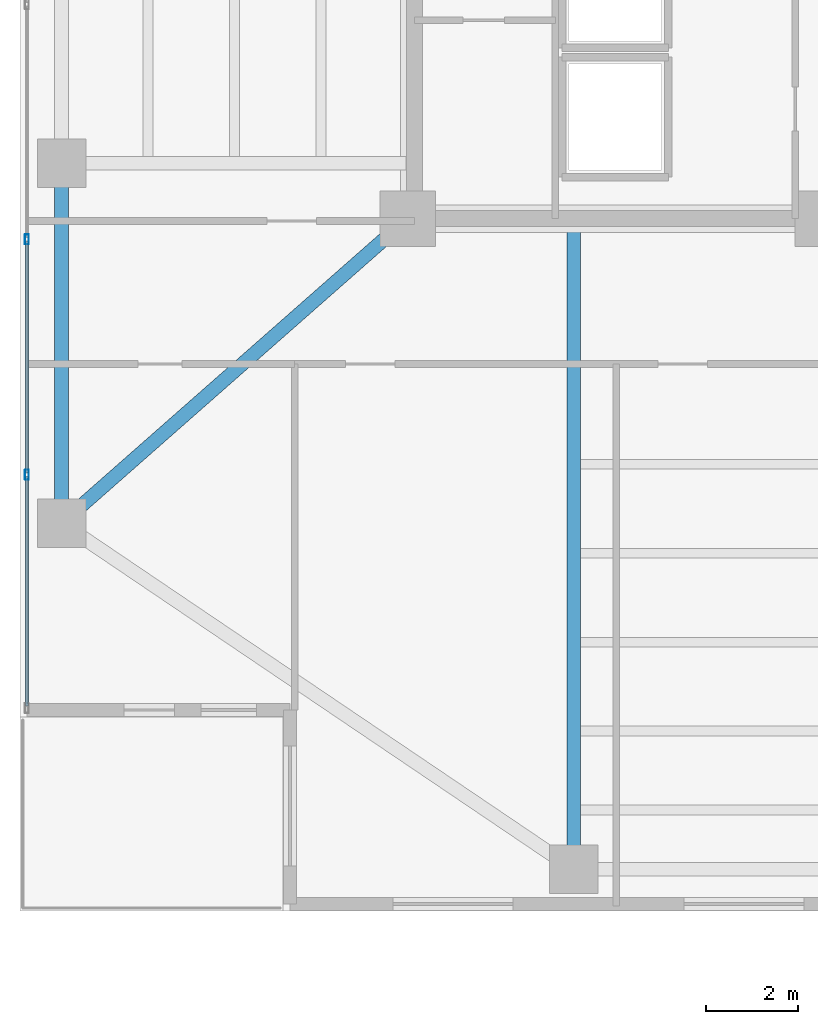
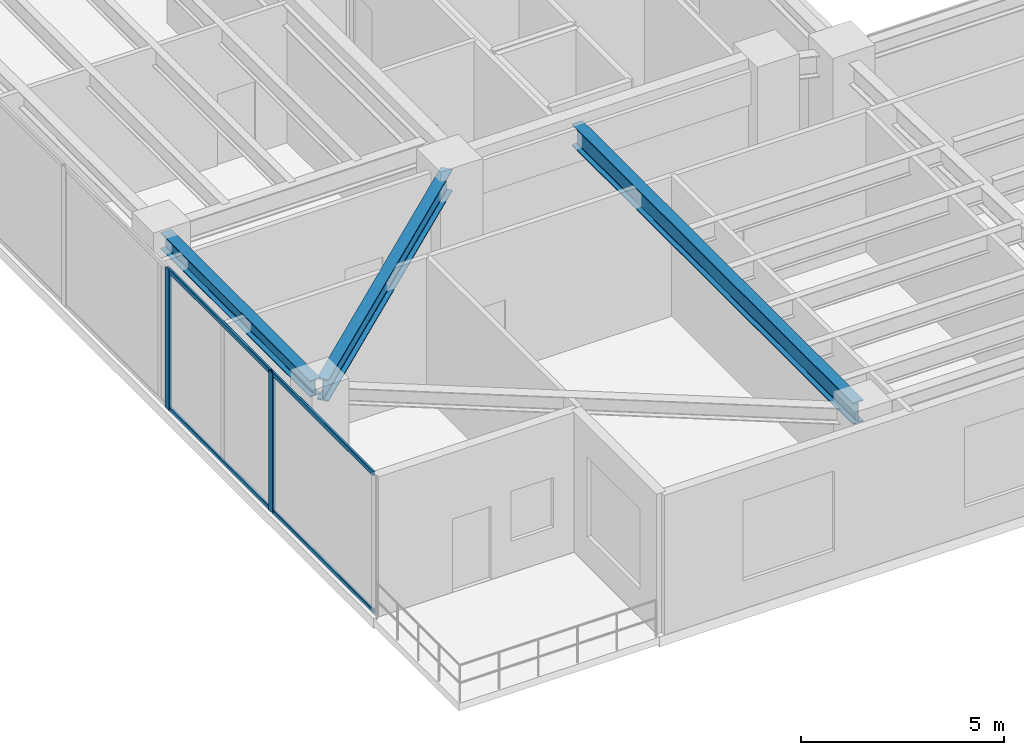
# One storey, part 3 of 37: 6 members, 3 beams, 1 element without a shape of its own.
"""IFC4 building model written with IfcOpenShell, lengths in metres."""

from ifc_helpers import new_model, si_unit, direction, frame, origin, origin_2d, place, context, subcontext, project, spatial, hollow_rectangle, i_section, extrude, material, layer, layer_set, material_profile, profile_set, type_object, element, aggregate, save


model = new_model("IFC4")

# Units and contexts
model_context = context("Model", 3, precision=1e-05, world=origin(), true_north=direction((0.0, 1.0)))
body_context = subcontext(model_context, "Body", "Model", "MODEL_VIEW")
ifc_project = project(units=[si_unit("LENGTHUNIT", "METRE"), si_unit("AREAUNIT", "SQUARE_METRE"), si_unit("VOLUMEUNIT", "CUBIC_METRE"), si_unit("PLANEANGLEUNIT", "RADIAN"), si_unit("MASSUNIT", "GRAM", prefix="KILO")], contexts=[model_context])

# Site, building, storey
site_placement = place(None, origin())
site = spatial("IfcSite", under=ifc_project, at=site_placement, CompositionType="ELEMENT")
building_placement = place(site_placement, origin())
building = spatial("IfcBuilding", under=site, at=building_placement, Name="Tarnavaz Court Tower", CompositionType="ELEMENT")
storey_placement = place(building_placement, frame((0.0, 0.0, 118.5)))
storey = spatial("IfcBuildingStorey", under=building, at=storey_placement, Name="L32", CompositionType="ELEMENT", Elevation=118.5)

# Beams
ifc_material_1 = material(Name="Steel S355", Category="steel")
ifc_material_profile_1 = material_profile(ifc_material_1, i_section(OverallWidth=0.300048828125, OverallDepth=0.64990234375, WebThickness=0.01611328125, FlangeThickness=0.031005859375, FilletRadius=0.027099609375, at=origin_2d()), Name="HEB 650")
ifc_profile_set_1 = profile_set([ifc_material_profile_1], Name="Steel S355")
beam_type_1 = type_object("IfcBeamType", Name="BM-G-HEB650", PredefinedType="USERDEFINED", material=ifc_profile_set_1)
beam_1_placement = place(storey_placement, frame((-15.0, -7.239990234375, 3.875), z_axis=(0.0, -1.0, 0.0), x_axis=(1.0, 0.0, 0.0)))
element("IfcBeam", 1, at=beam_1_placement, inside=storey, type_object=beam_type_1, Name="L32 Beam RG-05", ObjectType="GIRDER", PredefinedType="USERDEFINED", context=body_context, shape_type="SweptSolid", body=[
    extrude(i_section(OverallWidth=0.300048828125, OverallDepth=0.64990234375, WebThickness=0.01611328125, FlangeThickness=0.031005859375, FilletRadius=0.027099609375, at=origin_2d()), origin(), (0.0, 0.0, 1.0), 13.840087890625),
])
beam_2_placement = place(storey_placement, frame((-18.76513671875, -7.34521484375, 3.875), z_axis=(-0.750700332035, -0.660642877417, 0.0), x_axis=(0.660642877417, -0.750700332035, 0.0)))
element("IfcBeam", 2, at=beam_2_placement, inside=storey, type_object=beam_type_1, Name="L32 Beam RG-15", ObjectType="GIRDER", PredefinedType="USERDEFINED", context=body_context, shape_type="SweptSolid", body=[
    extrude(i_section(OverallWidth=0.300048828125, OverallDepth=0.64990234375, WebThickness=0.01611328125, FlangeThickness=0.031005859375, FilletRadius=0.027099609375, at=origin_2d()), origin(), (0.0, 0.0, 1.0), 9.550537109375),
])
ifc_material_profile_2 = material_profile(ifc_material_1, i_section(OverallWidth=0.300048828125, OverallDepth=0.489990234375, WebThickness=0.011962890625, FlangeThickness=0.02294921875, FilletRadius=0.027099609375, at=origin_2d()), Name="HEA 500")
ifc_profile_set_2 = profile_set([ifc_material_profile_2], Name="Steel S355")
beam_type_2 = type_object("IfcBeamType", Name="BM-SP-HEA500", PredefinedType="SPANDREL", material=ifc_profile_set_2)
beam_3_placement = place(storey_placement, frame((-26.10009765625, -13.580078125, 3.955078125), z_axis=(0.0, 1.0, 0.0), x_axis=(-1.0, 0.0, 0.0)))
element("IfcBeam", 3, at=beam_3_placement, inside=storey, type_object=beam_type_2, Name="L32 Beam PR-PW-1-PW-2", PredefinedType="SPANDREL", context=body_context, shape_type="SweptSolid", body=[
    extrude(i_section(OverallWidth=0.300048828125, OverallDepth=0.489990234375, WebThickness=0.011962890625, FlangeThickness=0.02294921875, FilletRadius=0.027099609375, at=origin_2d()), origin(), (0.0, 0.0, 1.0), 7.360107421875),
])

# Curtain wall, members
ifc_material_2 = material(Name="Anodised Aluminium 6063-T6 and Solar Low-E Glazing", Category="aluminium")
ifc_layer = layer(ifc_material_2, 0.199951171875)
ifc_layer_set = layer_set([ifc_layer], Name="Anodised Aluminium 6063-T6 and Solar Low-E Glazing")
curtain_wall_type = type_object("IfcCurtainWallType", Name="CW-SYS-05", PredefinedType="NOTDEFINED", material=ifc_layer_set)
curtain_wall_placement = place(storey_placement, origin())
curtain_wall = element("IfcCurtainWall", 4, at=curtain_wall_placement, inside=storey, type_object=curtain_wall_type, Name="L32 Sky-Portal Curtain Wall 2", PredefinedType="NOTDEFINED")
ifc_material_3 = material(Name="Anodised Aluminium 6063-T6", Category="aluminium")
ifc_material_profile_3 = material_profile(ifc_material_3, hollow_rectangle(XDim=0.0849609375, YDim=0.219970703125, WallThickness=0.006103515625, InnerFilletRadius=0.006103515625, OuterFilletRadius=0.011962890625, at=origin_2d()), Name="ALU RHS 220X85X6")
ifc_profile_set_3 = profile_set([ifc_material_profile_3], Name="Anodised Aluminium 6063-T6")
member_type_1 = type_object("IfcMemberType", Name="CW-MUL-220", PredefinedType="MULLION", material=ifc_profile_set_3)
member_1_placement = place(storey_placement, frame((-26.85009765625, -12.75, 0.0), z_axis=(0.0, 0.0, 1.0), x_axis=(-1.0, 0.0, 0.0)))
member_1 = element("IfcMember", 5, at=member_1_placement, type_object=member_type_1, Name="CW mullion 2", PredefinedType="MULLION", context=body_context, shape_type="SweptSolid", body=[
    extrude(hollow_rectangle(XDim=0.0849609375, YDim=0.219970703125, WallThickness=0.006103515625, InnerFilletRadius=0.006103515625, OuterFilletRadius=0.011962890625, at=origin_2d()), origin(), (0.0, 0.0, 1.0), 4.199951171875),
])
member_2_placement = place(storey_placement, frame((-26.85009765625, -7.64990234375, 0.0), z_axis=(0.0, 0.0, 1.0), x_axis=(-1.0, 0.0, 0.0)))
member_2 = element("IfcMember", 6, at=member_2_placement, type_object=member_type_1, Name="CW mullion 3", PredefinedType="MULLION", context=body_context, shape_type="SweptSolid", body=[
    extrude(hollow_rectangle(XDim=0.0849609375, YDim=0.219970703125, WallThickness=0.006103515625, InnerFilletRadius=0.006103515625, OuterFilletRadius=0.011962890625, at=origin_2d()), origin(), (0.0, 0.0, 1.0), 4.199951171875),
])
ifc_material_profile_4 = material_profile(ifc_material_3, hollow_rectangle(XDim=0.06494140625, YDim=0.139892578125, WallThickness=0.00390625, InnerFilletRadius=0.00390625, OuterFilletRadius=0.008056640625, at=origin_2d()), Name="ALU RHS 140X65X4")
ifc_profile_set_4 = profile_set([ifc_material_profile_4], Name="Anodised Aluminium 6063-T6")
member_type_2 = type_object("IfcMemberType", Name="CW-TRN-140", PredefinedType="USERDEFINED", material=ifc_profile_set_4)
member_3_placement = place(storey_placement, frame((-26.85009765625, -17.764892578125, 0.032470703125), z_axis=(0.0, 1.0, 0.0), x_axis=(-1.0, 0.0, 0.0)))
member_3 = element("IfcMember", 7, at=member_3_placement, type_object=member_type_2, Name="CW transom 1.1", ObjectType="TRANSOM", PredefinedType="USERDEFINED", context=body_context, shape_type="SweptSolid", body=[
    extrude(hollow_rectangle(XDim=0.06494140625, YDim=0.139892578125, WallThickness=0.00390625, InnerFilletRadius=0.00390625, OuterFilletRadius=0.008056640625, at=origin_2d()), origin(), (0.0, 0.0, 1.0), 4.972412109375),
])
member_4_placement = place(storey_placement, frame((-26.85009765625, -17.764892578125, 4.16748046875), z_axis=(0.0, 1.0, 0.0), x_axis=(-1.0, 0.0, 0.0)))
member_4 = element("IfcMember", 8, at=member_4_placement, type_object=member_type_2, Name="CW transom 1.2", ObjectType="TRANSOM", PredefinedType="USERDEFINED", context=body_context, shape_type="SweptSolid", body=[
    extrude(hollow_rectangle(XDim=0.06494140625, YDim=0.139892578125, WallThickness=0.00390625, InnerFilletRadius=0.00390625, OuterFilletRadius=0.008056640625, at=origin_2d()), origin(), (0.0, 0.0, 1.0), 4.972412109375),
])
member_5_placement = place(storey_placement, frame((-26.85009765625, -12.70751953125, 0.032470703125), z_axis=(0.0, 1.0, 0.0), x_axis=(-1.0, 0.0, 0.0)))
member_5 = element("IfcMember", 9, at=member_5_placement, type_object=member_type_2, Name="CW transom 2.1", ObjectType="TRANSOM", PredefinedType="USERDEFINED", context=body_context, shape_type="SweptSolid", body=[
    extrude(hollow_rectangle(XDim=0.06494140625, YDim=0.139892578125, WallThickness=0.00390625, InnerFilletRadius=0.00390625, OuterFilletRadius=0.008056640625, at=origin_2d()), origin(), (0.0, 0.0, 1.0), 5.01513671875),
])
member_6_placement = place(storey_placement, frame((-26.85009765625, -12.70751953125, 4.16748046875), z_axis=(0.0, 1.0, 0.0), x_axis=(-1.0, 0.0, 0.0)))
member_6 = element("IfcMember", 10, at=member_6_placement, type_object=member_type_2, Name="CW transom 2.2", ObjectType="TRANSOM", PredefinedType="USERDEFINED", context=body_context, shape_type="SweptSolid", body=[
    extrude(hollow_rectangle(XDim=0.06494140625, YDim=0.139892578125, WallThickness=0.00390625, InnerFilletRadius=0.00390625, OuterFilletRadius=0.008056640625, at=origin_2d()), origin(), (0.0, 0.0, 1.0), 5.01513671875),
])
aggregate(curtain_wall, [member_1, member_2, member_3, member_4, member_5, member_6])

save(model, "model.ifc")
